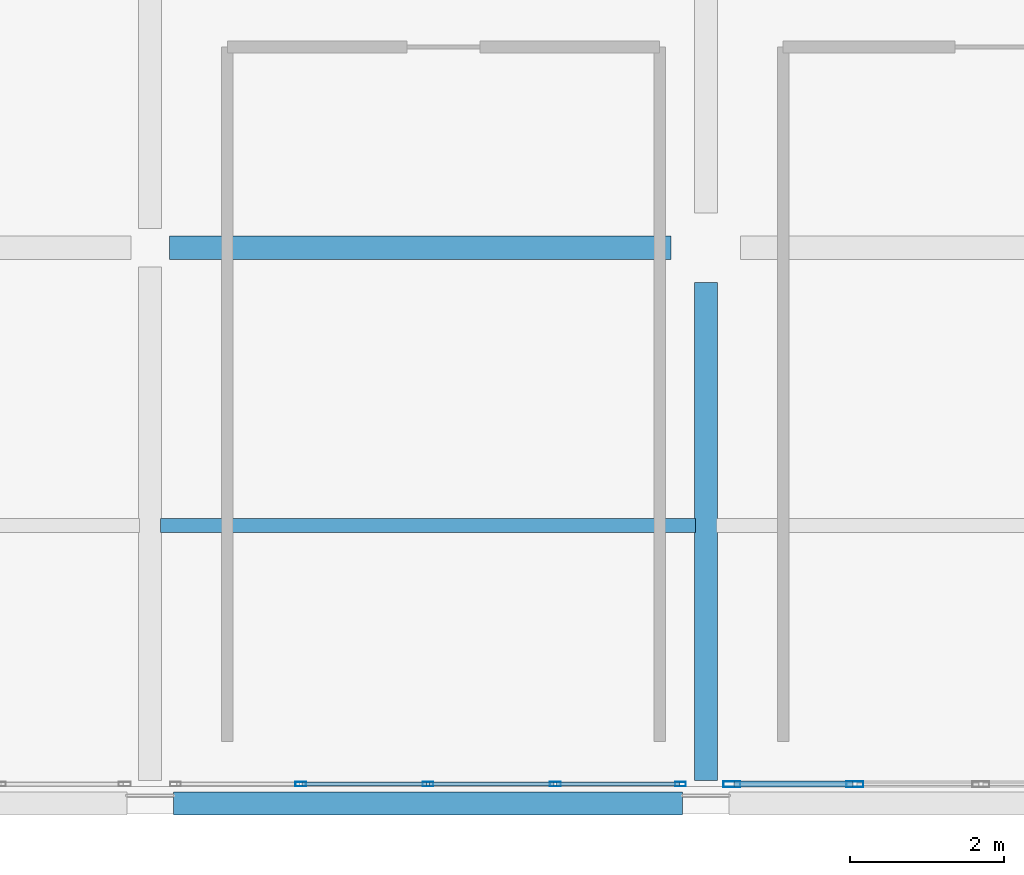
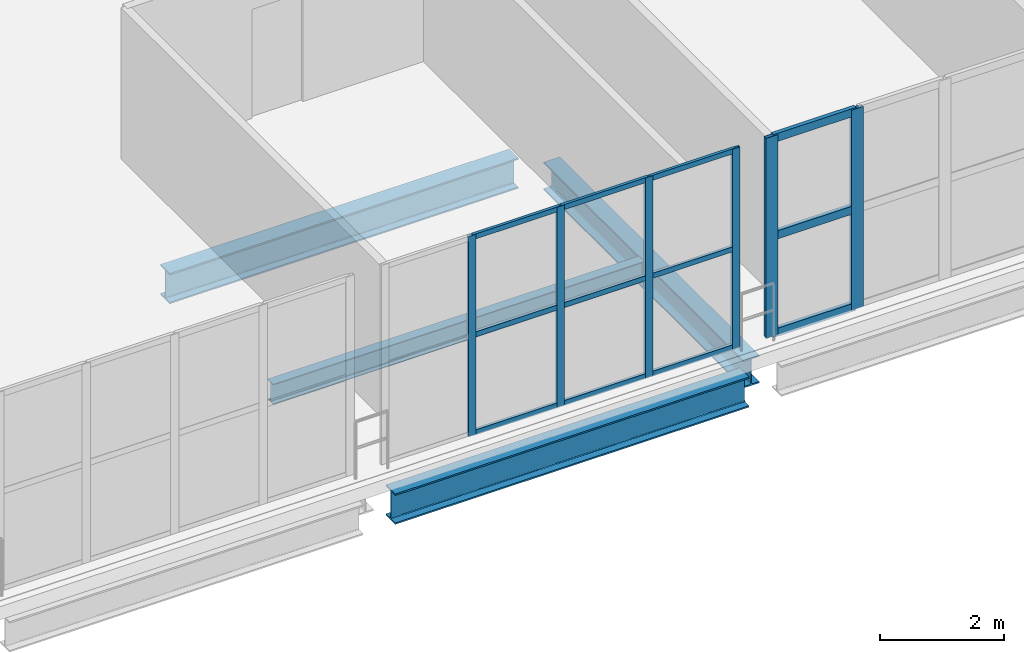
# One storey, part 8 of 153: 18 members, 4 beams, 2 elements without a shape of their own.
"""IFC4 building model written with IfcOpenShell, lengths in metres."""

from ifc_helpers import new_model, si_unit, direction, frame, origin, origin_2d, place, context, subcontext, project, spatial, hollow_rectangle, i_section, extrude, material, material_profile, profile_set, type_object, element, aggregate, save


model = new_model("IFC4")

# Units and contexts
model_context = context("Model", 3, precision=1e-05, world=origin(), true_north=direction((0.0, 1.0)))
body_context = subcontext(model_context, "Body", "Model", "MODEL_VIEW")
ifc_project = project(units=[si_unit("LENGTHUNIT", "METRE"), si_unit("AREAUNIT", "SQUARE_METRE"), si_unit("VOLUMEUNIT", "CUBIC_METRE"), si_unit("PLANEANGLEUNIT", "RADIAN"), si_unit("MASSUNIT", "GRAM", prefix="KILO")], contexts=[model_context])

# Site, building, storey
site_placement = place(None, origin())
site = spatial("IfcSite", under=ifc_project, at=site_placement, CompositionType="ELEMENT")
building_placement = place(site_placement, origin())
building = spatial("IfcBuilding", under=site, at=building_placement, Name="Qandorah Velis Arena", CompositionType="ELEMENT")
storey_placement = place(building_placement, frame((0.0, 0.0, 5.39990234375)))
storey = spatial("IfcBuildingStorey", under=building, at=storey_placement, Name="L01", CompositionType="ELEMENT", Elevation=5.39990234375)

# Curtain wall, members
ifc_material_1 = material(Name="Solar-control low-E double glazing", Category="glass")
curtain_wall_type_1 = type_object("IfcCurtainWallType", Name="ARC-CW-SYS08", PredefinedType="USERDEFINED", material=ifc_material_1)
curtain_wall_1_placement = place(storey_placement, origin())
curtain_wall_1 = element("IfcCurtainWall", 1, at=curtain_wall_1_placement, inside=storey, type_object=curtain_wall_type_1, Name="Unitised curtain wall L01-056", ObjectType="UNITISED CURTAIN WALL", PredefinedType="USERDEFINED")
ifc_material_2 = material(Name="Champagne-bronze anodized aluminium 6063-T6", Category="aluminium")
ifc_material_profile_1 = material_profile(ifc_material_2, hollow_rectangle(XDim=0.054931640625, YDim=0.139892578125, WallThickness=0.0029296875, at=origin_2d()), Name="ALU MULLION 55x140")
ifc_profile_set_1 = profile_set([ifc_material_profile_1], Name="Champagne-bronze anodized aluminium 6063-T6")
member_type_1 = type_object("IfcMemberType", Name="ARC-CWM-140", PredefinedType="MULLION", material=ifc_profile_set_1)
member_1_placement = place(storey_placement, frame((16.35009765625, 0.25, -0.014892578125), z_axis=(0.0, 0.0, 1.0), x_axis=(0.0, 1.0, 0.0)))
member_1 = element("IfcMember", 2, at=member_1_placement, type_object=member_type_1, Name="CW08 mullion 2", PredefinedType="MULLION", context=body_context, shape_type="SweptSolid", body=[
    extrude(hollow_rectangle(XDim=0.054931640625, YDim=0.139892578125, WallThickness=0.0029296875, at=origin_2d()), origin(), (0.0, 0.0, 1.0), 3.949951171875),
])
member_2_placement = place(storey_placement, frame((18.0, 0.25, -0.014892578125), z_axis=(0.0, 0.0, 1.0), x_axis=(0.0, 1.0, 0.0)))
member_2 = element("IfcMember", 3, at=member_2_placement, type_object=member_type_1, Name="CW08 mullion 3", PredefinedType="MULLION", context=body_context, shape_type="SweptSolid", body=[
    extrude(hollow_rectangle(XDim=0.054931640625, YDim=0.139892578125, WallThickness=0.0029296875, at=origin_2d()), origin(), (0.0, 0.0, 1.0), 3.949951171875),
])
member_3_placement = place(storey_placement, frame((19.64990234375, 0.25, -0.014892578125), z_axis=(0.0, 0.0, 1.0), x_axis=(0.0, 1.0, 0.0)))
member_3 = element("IfcMember", 4, at=member_3_placement, type_object=member_type_1, Name="CW08 mullion 4", PredefinedType="MULLION", context=body_context, shape_type="SweptSolid", body=[
    extrude(hollow_rectangle(XDim=0.054931640625, YDim=0.139892578125, WallThickness=0.0029296875, at=origin_2d()), origin(), (0.0, 0.0, 1.0), 3.949951171875),
])
member_4_placement = place(storey_placement, frame((21.2724609375, 0.25, -0.014892578125), z_axis=(0.0, 0.0, 1.0), x_axis=(0.0, 1.0, 0.0)))
member_4 = element("IfcMember", 5, at=member_4_placement, type_object=member_type_1, Name="CW08 mullion 5", PredefinedType="MULLION", context=body_context, shape_type="SweptSolid", body=[
    extrude(hollow_rectangle(XDim=0.054931640625, YDim=0.139892578125, WallThickness=0.0029296875, at=origin_2d()), origin(), (0.0, 0.0, 1.0), 3.949951171875),
])

curtain_wall_type_2 = type_object("IfcCurtainWallType", Name="ARC-CW-SYS09", PredefinedType="USERDEFINED", material=ifc_material_1)
curtain_wall_2_placement = place(storey_placement, origin())
curtain_wall_2 = element("IfcCurtainWall", 6, at=curtain_wall_2_placement, inside=storey, type_object=curtain_wall_type_2, Name="Unitised curtain wall L01-057", ObjectType="UNITISED CURTAIN WALL", PredefinedType="USERDEFINED")
ifc_material_profile_2 = material_profile(ifc_material_2, hollow_rectangle(XDim=0.074951171875, YDim=0.219970703125, WallThickness=0.00390625, at=origin_2d()), Name="ALU MULLION 75x220")
ifc_profile_set_2 = profile_set([ifc_material_profile_2], Name="Champagne-bronze anodized aluminium 6063-T6")
member_type_2 = type_object("IfcMemberType", Name="ARC-CWM-220", PredefinedType="MULLION", material=ifc_profile_set_2)
member_5_placement = place(storey_placement, frame((21.9375, 0.25, -0.014892578125), z_axis=(0.0, 0.0, 1.0), x_axis=(0.0, 1.0, 0.0)))
member_5 = element("IfcMember", 7, at=member_5_placement, type_object=member_type_2, Name="CW09 mullion 1", PredefinedType="MULLION", context=body_context, shape_type="SweptSolid", body=[
    extrude(hollow_rectangle(XDim=0.074951171875, YDim=0.219970703125, WallThickness=0.00390625, at=origin_2d()), origin(), (0.0, 0.0, 1.0), 3.949951171875),
])
member_6_placement = place(storey_placement, frame((23.53125, 0.25, -0.014892578125), z_axis=(0.0, 0.0, 1.0), x_axis=(0.0, 1.0, 0.0)))
member_6 = element("IfcMember", 8, at=member_6_placement, type_object=member_type_2, Name="CW09 mullion 2", PredefinedType="MULLION", context=body_context, shape_type="SweptSolid", body=[
    extrude(hollow_rectangle(XDim=0.074951171875, YDim=0.219970703125, WallThickness=0.00390625, at=origin_2d()), origin(), (0.0, 0.0, 1.0), 3.949951171875),
])

# Member
ifc_material_profile_3 = material_profile(ifc_material_2, hollow_rectangle(XDim=0.054931640625, YDim=0.10009765625, WallThickness=0.0029296875, at=origin_2d()), Name="ALU TRANSOM 55x100")
ifc_profile_set_3 = profile_set([ifc_material_profile_3], Name="Champagne-bronze anodized aluminium 6063-T6")
member_type_3 = type_object("IfcMemberType", Name="ARC-CWT-100", PredefinedType="USERDEFINED", material=ifc_profile_set_3)
member_7_placement = place(storey_placement, frame((16.365478515625, 0.25, 0.027587890625), z_axis=(1.0, 0.0, 0.0), x_axis=(0.0, 1.0, 0.0)))
member_7 = element("IfcMember", 9, at=member_7_placement, type_object=member_type_3, Name="CW08 transom 2.1", ObjectType="TRANSOM", PredefinedType="USERDEFINED", context=body_context, shape_type="SweptSolid", body=[
    extrude(hollow_rectangle(XDim=0.054931640625, YDim=0.10009765625, WallThickness=0.0029296875, at=origin_2d()), origin(), (0.0, 0.0, 1.0), 1.619140625),
])

member_8_placement = place(storey_placement, frame((16.365478515625, 0.25, 1.960205078125), z_axis=(1.0, 0.0, 0.0), x_axis=(0.0, 1.0, 0.0)))
member_8 = element("IfcMember", 10, at=member_8_placement, type_object=member_type_3, Name="CW08 transom 2.2", ObjectType="TRANSOM", PredefinedType="USERDEFINED", context=body_context, shape_type="SweptSolid", body=[
    extrude(hollow_rectangle(XDim=0.054931640625, YDim=0.10009765625, WallThickness=0.0029296875, at=origin_2d()), origin(), (0.0, 0.0, 1.0), 1.619140625),
])

member_9_placement = place(storey_placement, frame((16.365478515625, 0.25, 3.892578125), z_axis=(1.0, 0.0, 0.0), x_axis=(0.0, 1.0, 0.0)))
member_9 = element("IfcMember", 11, at=member_9_placement, type_object=member_type_3, Name="CW08 transom 2.3", ObjectType="TRANSOM", PredefinedType="USERDEFINED", context=body_context, shape_type="SweptSolid", body=[
    extrude(hollow_rectangle(XDim=0.054931640625, YDim=0.10009765625, WallThickness=0.0029296875, at=origin_2d()), origin(), (0.0, 0.0, 1.0), 1.619140625),
])

member_10_placement = place(storey_placement, frame((18.015380859375, 0.25, 0.027587890625), z_axis=(1.0, 0.0, 0.0), x_axis=(0.0, 1.0, 0.0)))
member_10 = element("IfcMember", 12, at=member_10_placement, type_object=member_type_3, Name="CW08 transom 3.1", ObjectType="TRANSOM", PredefinedType="USERDEFINED", context=body_context, shape_type="SweptSolid", body=[
    extrude(hollow_rectangle(XDim=0.054931640625, YDim=0.10009765625, WallThickness=0.0029296875, at=origin_2d()), origin(), (0.0, 0.0, 1.0), 1.619140625),
])

member_11_placement = place(storey_placement, frame((18.015380859375, 0.25, 1.960205078125), z_axis=(1.0, 0.0, 0.0), x_axis=(0.0, 1.0, 0.0)))
member_11 = element("IfcMember", 13, at=member_11_placement, type_object=member_type_3, Name="CW08 transom 3.2", ObjectType="TRANSOM", PredefinedType="USERDEFINED", context=body_context, shape_type="SweptSolid", body=[
    extrude(hollow_rectangle(XDim=0.054931640625, YDim=0.10009765625, WallThickness=0.0029296875, at=origin_2d()), origin(), (0.0, 0.0, 1.0), 1.619140625),
])

member_12_placement = place(storey_placement, frame((18.015380859375, 0.25, 3.892578125), z_axis=(1.0, 0.0, 0.0), x_axis=(0.0, 1.0, 0.0)))
member_12 = element("IfcMember", 14, at=member_12_placement, type_object=member_type_3, Name="CW08 transom 3.3", ObjectType="TRANSOM", PredefinedType="USERDEFINED", context=body_context, shape_type="SweptSolid", body=[
    extrude(hollow_rectangle(XDim=0.054931640625, YDim=0.10009765625, WallThickness=0.0029296875, at=origin_2d()), origin(), (0.0, 0.0, 1.0), 1.619140625),
])

member_13_placement = place(storey_placement, frame((19.66552734375, 0.25, 0.027587890625), z_axis=(1.0, 0.0, 0.0), x_axis=(0.0, 1.0, 0.0)))
member_13 = element("IfcMember", 15, at=member_13_placement, type_object=member_type_3, Name="CW08 transom 4.1", ObjectType="TRANSOM", PredefinedType="USERDEFINED", context=body_context, shape_type="SweptSolid", body=[
    extrude(hollow_rectangle(XDim=0.054931640625, YDim=0.10009765625, WallThickness=0.0029296875, at=origin_2d()), origin(), (0.0, 0.0, 1.0), 1.591552734375),
])

member_14_placement = place(storey_placement, frame((19.66552734375, 0.25, 1.960205078125), z_axis=(1.0, 0.0, 0.0), x_axis=(0.0, 1.0, 0.0)))
member_14 = element("IfcMember", 16, at=member_14_placement, type_object=member_type_3, Name="CW08 transom 4.2", ObjectType="TRANSOM", PredefinedType="USERDEFINED", context=body_context, shape_type="SweptSolid", body=[
    extrude(hollow_rectangle(XDim=0.054931640625, YDim=0.10009765625, WallThickness=0.0029296875, at=origin_2d()), origin(), (0.0, 0.0, 1.0), 1.591552734375),
])

member_15_placement = place(storey_placement, frame((19.66552734375, 0.25, 3.892578125), z_axis=(1.0, 0.0, 0.0), x_axis=(0.0, 1.0, 0.0)))
member_15 = element("IfcMember", 17, at=member_15_placement, type_object=member_type_3, Name="CW08 transom 4.3", ObjectType="TRANSOM", PredefinedType="USERDEFINED", context=body_context, shape_type="SweptSolid", body=[
    extrude(hollow_rectangle(XDim=0.054931640625, YDim=0.10009765625, WallThickness=0.0029296875, at=origin_2d()), origin(), (0.0, 0.0, 1.0), 1.591552734375),
])

aggregate(curtain_wall_1, [member_1, member_2, member_3, member_4, member_7, member_8, member_9, member_10, member_11, member_12, member_13, member_14, member_15])

ifc_material_profile_4 = material_profile(ifc_material_2, hollow_rectangle(XDim=0.074951171875, YDim=0.159912109375, WallThickness=0.00341796875, at=origin_2d()), Name="ALU TRANSOM 75x160")
ifc_profile_set_4 = profile_set([ifc_material_profile_4], Name="Champagne-bronze anodized aluminium 6063-T6")
member_type_4 = type_object("IfcMemberType", Name="ARC-CWT-160", PredefinedType="USERDEFINED", material=ifc_profile_set_4)
member_16_placement = place(storey_placement, frame((21.962890625, 0.25, 0.03759765625), z_axis=(1.0, 0.0, 0.0), x_axis=(0.0, 1.0, 0.0)))
member_16 = element("IfcMember", 18, at=member_16_placement, type_object=member_type_4, Name="CW09 transom 1.1", ObjectType="TRANSOM", PredefinedType="USERDEFINED", context=body_context, shape_type="SweptSolid", body=[
    extrude(hollow_rectangle(XDim=0.074951171875, YDim=0.159912109375, WallThickness=0.00341796875, at=origin_2d()), origin(), (0.0, 0.0, 1.0), 1.542724609375),
])

member_17_placement = place(storey_placement, frame((21.962890625, 0.25, 1.960205078125), z_axis=(1.0, 0.0, 0.0), x_axis=(0.0, 1.0, 0.0)))
member_17 = element("IfcMember", 19, at=member_17_placement, type_object=member_type_4, Name="CW09 transom 1.2", ObjectType="TRANSOM", PredefinedType="USERDEFINED", context=body_context, shape_type="SweptSolid", body=[
    extrude(hollow_rectangle(XDim=0.074951171875, YDim=0.159912109375, WallThickness=0.00341796875, at=origin_2d()), origin(), (0.0, 0.0, 1.0), 1.542724609375),
])

member_18_placement = place(storey_placement, frame((21.962890625, 0.25, 3.882568359375), z_axis=(1.0, 0.0, 0.0), x_axis=(0.0, 1.0, 0.0)))
member_18 = element("IfcMember", 20, at=member_18_placement, type_object=member_type_4, Name="CW09 transom 1.3", ObjectType="TRANSOM", PredefinedType="USERDEFINED", context=body_context, shape_type="SweptSolid", body=[
    extrude(hollow_rectangle(XDim=0.074951171875, YDim=0.159912109375, WallThickness=0.00341796875, at=origin_2d()), origin(), (0.0, 0.0, 1.0), 1.542724609375),
])

aggregate(curtain_wall_2, [member_5, member_6, member_16, member_17, member_18])

# Beams
ifc_material_3 = material(Name="Steel S355", Category="steel")
ifc_material_profile_5 = material_profile(ifc_material_3, i_section(OverallWidth=0.300048828125, OverallDepth=0.550048828125, WebThickness=0.014892578125, FlangeThickness=0.029052734375, FilletRadius=0.027099609375, at=origin_2d()), Name="HEB 550")
ifc_profile_set_5 = profile_set([ifc_material_profile_5], Name="Steel S355")
beam_type_1 = type_object("IfcBeamType", Name="STR-BM-HEB550", PredefinedType="BEAM", material=ifc_profile_set_5)
beam_1_placement = place(storey_placement, frame((21.60009765625, 0.300048828125, -0.635009765625), z_axis=(0.0, 1.0, 0.0), x_axis=(-1.0, 0.0, 0.0)))
element("IfcBeam", 21, at=beam_1_placement, inside=storey, type_object=beam_type_1, Name="Primary floor girder L01 Y-274", PredefinedType="BEAM", context=body_context, shape_type="SweptSolid", body=[
    extrude(i_section(OverallWidth=0.300048828125, OverallDepth=0.550048828125, WebThickness=0.014892578125, FlangeThickness=0.029052734375, FilletRadius=0.027099609375, at=origin_2d()), origin(), (0.0, 0.0, 1.0), 6.449951171875),
])
ifc_material_profile_6 = material_profile(ifc_material_3, i_section(OverallWidth=0.300048828125, OverallDepth=0.60009765625, WebThickness=0.015380859375, FlangeThickness=0.030029296875, FilletRadius=0.027099609375, at=origin_2d()), Name="HEB 600")
ifc_profile_set_6 = profile_set([ifc_material_profile_6], Name="Steel S355")
beam_type_2 = type_object("IfcBeamType", Name="STR-BM-HEB600", PredefinedType="BEAM", material=ifc_profile_set_6)
beam_2_placement = place(storey_placement, frame((14.699951171875, 0.0, -0.659912109375), z_axis=(1.0, 0.0, 0.0), x_axis=(0.0, 1.0, 0.0)))
element("IfcBeam", 22, at=beam_2_placement, inside=storey, type_object=beam_type_2, Name="Primary floor girder L01 X-003", PredefinedType="BEAM", context=body_context, shape_type="SweptSolid", body=[
    extrude(i_section(OverallWidth=0.300048828125, OverallDepth=0.60009765625, WebThickness=0.015380859375, FlangeThickness=0.030029296875, FilletRadius=0.027099609375, at=origin_2d()), origin(), (0.0, 0.0, 1.0), 6.60009765625),
])
beam_3_placement = place(storey_placement, frame((14.64990234375, 7.199951171875, -0.659912109375), z_axis=(1.0, 0.0, 0.0), x_axis=(0.0, 1.0, 0.0)))
element("IfcBeam", 23, at=beam_3_placement, inside=storey, type_object=beam_type_2, Name="Primary floor girder L01 X-019", PredefinedType="BEAM", context=body_context, shape_type="SweptSolid", body=[
    extrude(i_section(OverallWidth=0.300048828125, OverallDepth=0.60009765625, WebThickness=0.015380859375, FlangeThickness=0.030029296875, FilletRadius=0.027099609375, at=origin_2d()), origin(), (0.0, 0.0, 1.0), 6.5),
])
ifc_material_profile_7 = material_profile(ifc_material_3, i_section(OverallWidth=0.179931640625, OverallDepth=0.39990234375, WebThickness=0.008544921875, FlangeThickness=0.013427734375, FilletRadius=0.02099609375, at=origin_2d()), Name="IPE 400")
ifc_profile_set_7 = profile_set([ifc_material_profile_7], Name="Steel S355")
beam_type_3 = type_object("IfcBeamType", Name="STR-JST-IPE400", PredefinedType="JOIST", material=ifc_profile_set_7)
beam_4_placement = place(storey_placement, frame((14.534912109375, 3.60009765625, -0.559814453125), z_axis=(1.0, 0.0, 0.0), x_axis=(0.0, 1.0, 0.0)))
element("IfcBeam", 24, at=beam_4_placement, inside=storey, type_object=beam_type_3, Name="Secondary floor joist L01-033", PredefinedType="JOIST", context=body_context, shape_type="SweptSolid", body=[
    extrude(i_section(OverallWidth=0.179931640625, OverallDepth=0.39990234375, WebThickness=0.008544921875, FlangeThickness=0.013427734375, FilletRadius=0.02099609375, at=origin_2d()), origin(), (0.0, 0.0, 1.0), 6.93017578125),
])

save(model, "model.ifc")
